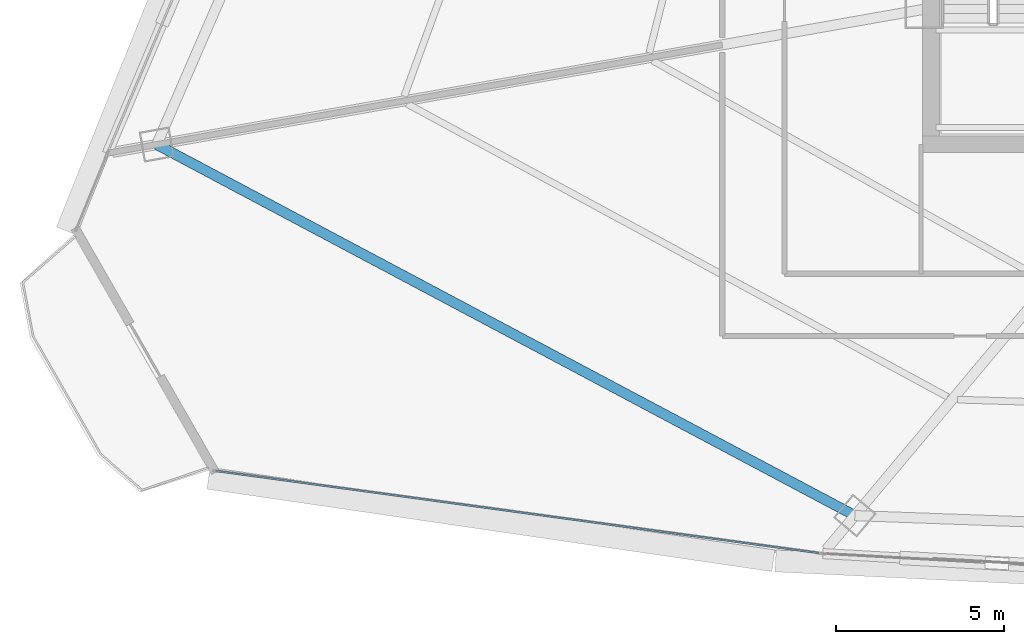
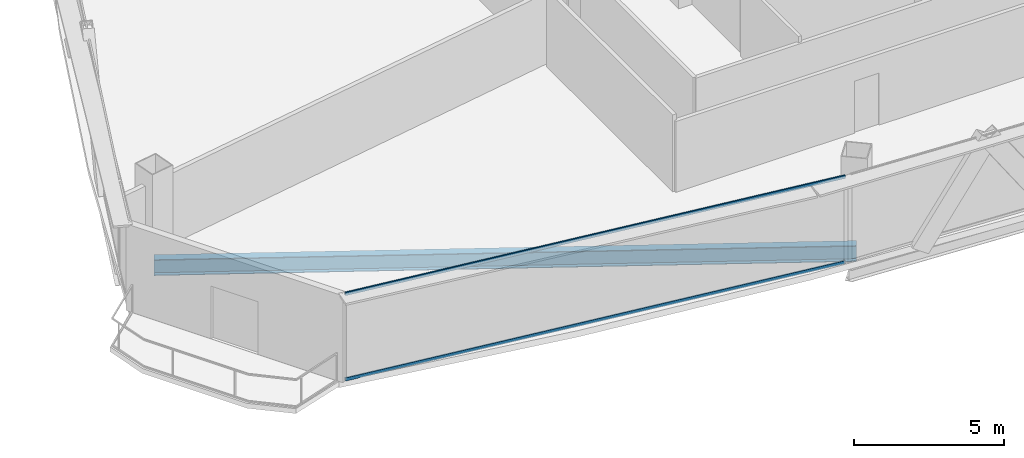
# One storey, part 3 of 36: 2 members, 1 beam, 1 element without a shape of its own.
"""IFC4 building model written with IfcOpenShell, lengths in metres."""

from ifc_helpers import new_model, si_unit, direction, frame, origin, origin_2d, place, context, subcontext, project, spatial, hollow_rectangle, i_section, extrude, source, transform, mapped, material, layer, layer_set, material_profile, profile_set, type_object, element, aggregate, save


model = new_model("IFC4")

# Units and contexts
model_context = context("Model", 3, precision=1e-05, world=origin(), true_north=direction((0.0, 1.0)))
body_context = subcontext(model_context, "Body", "Model", "MODEL_VIEW")
ifc_project = project(units=[si_unit("LENGTHUNIT", "METRE"), si_unit("AREAUNIT", "SQUARE_METRE"), si_unit("VOLUMEUNIT", "CUBIC_METRE"), si_unit("PLANEANGLEUNIT", "RADIAN"), si_unit("MASSUNIT", "GRAM", prefix="KILO"), si_unit("THERMODYNAMICTEMPERATUREUNIT", "KELVIN"), si_unit("POWERUNIT", "WATT")], contexts=[model_context])

# Site, building, storey
site_placement = place(None, origin())
site = spatial("IfcSite", under=ifc_project, at=site_placement, CompositionType="ELEMENT")
building_placement = place(site_placement, origin())
building = spatial("IfcBuilding", under=site, at=building_placement, Name="Yunzhuo Pagoda Commons", CompositionType="ELEMENT")
storey_placement = place(building_placement, frame((0.0, 0.0, 211.360107421875)))
storey = spatial("IfcBuildingStorey", under=building, at=storey_placement, Name="L53", CompositionType="ELEMENT", Elevation=211.360107421875)

# Beam
ifc_material_1 = material(Name="Structural steel Q355B", Category="steel")
ifc_material_profile_1 = material_profile(ifc_material_1, i_section(OverallWidth=0.300048828125, OverallDepth=0.64990234375, WebThickness=0.012939453125, FlangeThickness=0.02197265625, at=origin_2d()), Name="Structural steel Q355B")
ifc_profile_set_1 = profile_set([ifc_material_profile_1], Name="Structural steel Q355B")
beam_type = type_object("IfcBeamType", Name="B-RG2 Beam HN 650x300x13x22", PredefinedType="BEAM", material=ifc_profile_set_1)
shared_shape_1 = source(origin(), body_context, "Body", "SweptSolid", [
    extrude(i_section(OverallWidth=0.300048828125, OverallDepth=0.64990234375, WebThickness=0.012939453125, FlangeThickness=0.02197265625, at=origin_2d()), origin(), (0.0, 0.0, 1.0), 23.49365234375),
])
beam_placement = place(storey_placement, frame((12.79345703125, 27.492431640625, -0.585205078125), z_axis=(0.883016269865, -0.469342377325, 0.0), x_axis=(0.469342377325, 0.883016269865, 0.0)))
element("IfcBeam", 1, at=beam_placement, inside=storey, type_object=beam_type, Name="L53 column-ring beam 12", PredefinedType="BEAM", context=body_context, shape_type="MappedRepresentation", body=[
    mapped(shared_shape_1, transform((0.0, 0.0, 0.0), scale=1.0)),
])

# Curtain wall, members
ifc_material_2 = material(Name="Anodized aluminium 6063-T6", Category="aluminium")
ifc_layer = layer(ifc_material_2, 0.14990234375)
ifc_layer_set = layer_set([ifc_layer], Name="Anodized aluminium 6063-T6")
curtain_wall_type = type_object("IfcCurtainWallType", Name="CW-MID Mid-Zone Ribbon Curtain Wall", PredefinedType="NOTDEFINED", material=ifc_layer_set)
curtain_wall_placement = place(storey_placement, origin())
curtain_wall = element("IfcCurtainWall", 2, at=curtain_wall_placement, inside=storey, type_object=curtain_wall_type, Name="L53 curtain wall CW-L53-F1B1", PredefinedType="NOTDEFINED")
ifc_material_profile_2 = material_profile(ifc_material_2, hollow_rectangle(XDim=0.054931640625, YDim=0.1298828125, WallThickness=0.00341796875, at=origin_2d()), Name="Anodized aluminium 6063-T6")
ifc_profile_set_2 = profile_set([ifc_material_profile_2], Name="Anodized aluminium 6063-T6")
member_type = type_object("IfcMemberType", Name="CW-MID-T Transom RHS 130x55x3.5", PredefinedType="USERDEFINED", material=ifc_profile_set_2)
shared_shape_2 = source(origin(), body_context, "Body", "SweptSolid", [
    extrude(hollow_rectangle(XDim=0.054931640625, YDim=0.1298828125, WallThickness=0.00341796875, at=origin_2d()), origin(), (0.0, 0.0, 1.0), 18.055908203125),
])
member_1_placement = place(storey_placement, frame((14.56640625, 17.789306640625, 0.02734375), z_axis=(0.990866089619, -0.134849517771, 0.0), x_axis=(0.134849517771, 0.990866089619, 0.0)))
member_1 = element("IfcMember", 3, at=member_1_placement, type_object=member_type, Name="CW transom 1.1", ObjectType="TRANSOM", PredefinedType="USERDEFINED", context=body_context, shape_type="MappedRepresentation", body=[
    mapped(shared_shape_2, transform((0.0, 0.0, 0.0), scale=1.0)),
])
member_2_placement = place(storey_placement, frame((14.56640625, 17.789306640625, 3.512451171875), z_axis=(0.990866089619, -0.134849517771, 0.0), x_axis=(0.134849517771, 0.990866089619, 0.0)))
member_2 = element("IfcMember", 4, at=member_2_placement, type_object=member_type, Name="CW transom 1.2", ObjectType="TRANSOM", PredefinedType="USERDEFINED", context=body_context, shape_type="MappedRepresentation", body=[
    mapped(shared_shape_2, transform((0.0, 0.0, 0.0), scale=1.0)),
])
aggregate(curtain_wall, [member_1, member_2])

save(model, "model.ifc")
